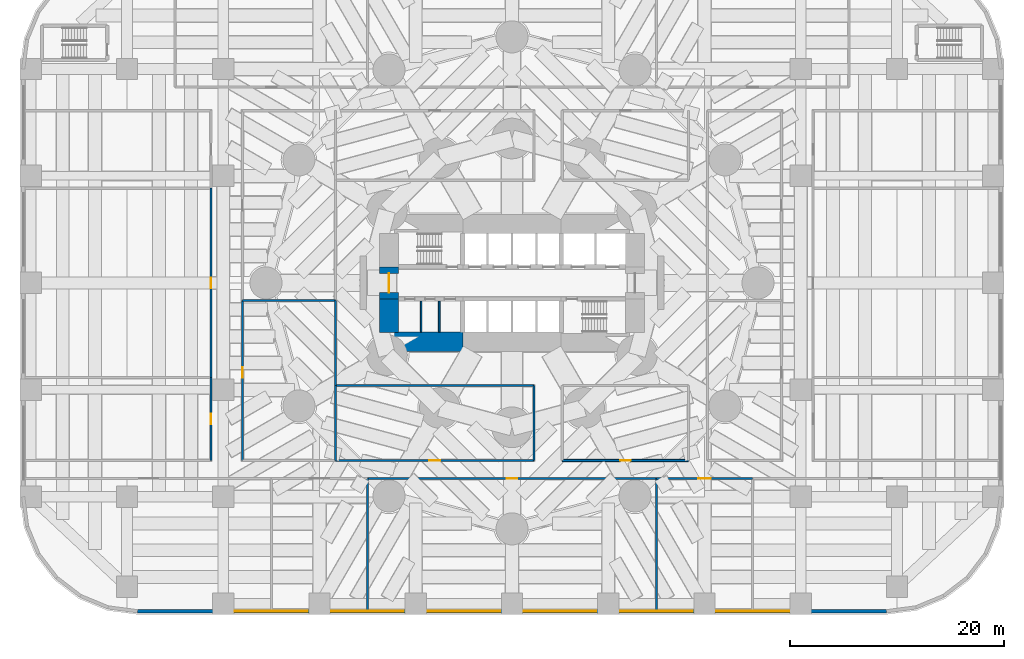
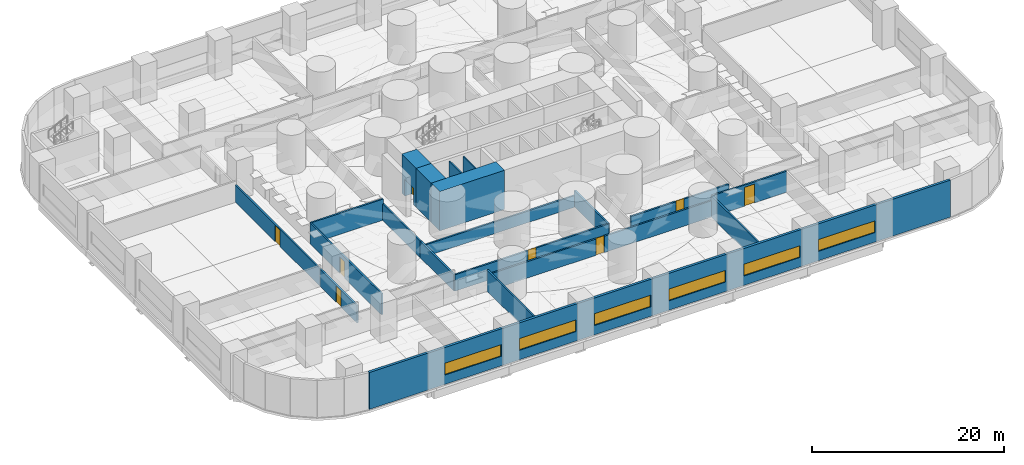
# One storey, part 7 of 17: 20 walls, 8 doors, 6 windows, 14 openings.
"""IFC4 building model written with IfcOpenShell, lengths in metres."""

import ifcopenshell
import ifcopenshell.guid

model = None  # the IFC model being written
_history = None  # IfcOwnerHistory: only IFC2X3 demands one
_inside = {}  # id of a spatial element -> (the spatial element, [elements in it])
_under = {}  # id of a project, library or spatial element -> (it, [spatial elements below it])
_declared = {}  # id of a project -> (the project, [libraries it declares])
_typed = {}  # id of a type object -> (the type object, [elements of that type])
_made_of = {}  # id of a material, layer set ... -> (it, [elements and type objects made of it])


def new_model(schema):
    """Start an empty IFC model of exactly this schema.

    Asked for "IFC4X3", IfcOpenShell would pick the latest addendum, in which some entities
    have other attributes; the version numbers below select the first issue.
    IFC2X3 requires an IfcOwnerHistory on every rooted entity: one is made here for all.
    """
    global model, _history
    if schema == "IFC4X3":
        model = ifcopenshell.file(schema_version=(4, 3, 0, 0))
    else:
        model = ifcopenshell.file(schema=schema)
    _inside.clear()
    _under.clear()
    _declared.clear()
    _typed.clear()
    _made_of.clear()
    _history = None
    if model.schema == "IFC2X3":
        org = make("IfcOrganization", Name="unknown")
        user = make(
            "IfcPersonAndOrganization",
            ThePerson=make("IfcPerson", FamilyName="unknown"),
            TheOrganization=org,
        )
        app = make(
            "IfcApplication",
            ApplicationDeveloper=org,
            Version="unknown",
            ApplicationFullName="unknown",
            ApplicationIdentifier="unknown",
        )
        _history = make(
            "IfcOwnerHistory",
            OwningUser=user,
            OwningApplication=app,
            ChangeAction="ADDED",
            CreationDate=0,
        )
    return model


def make(cls, **values):
    """One entity of the class cls with the attributes given. An attribute that is None is left unset."""
    return model.create_entity(
        cls, **{name: value for name, value in values.items() if value is not None}
    )


def rooted(cls, **values):
    """An entity with a GlobalId (a new one), such as an element, a storey or a relation."""
    return make(cls, GlobalId=ifcopenshell.guid.new(), OwnerHistory=_history, **values)


def si_unit(unit_type, name, prefix=None):
    """IfcSIUnit, for example si_unit("LENGTHUNIT", "METRE", prefix="MILLI")."""
    return make("IfcSIUnit", UnitType=unit_type, Prefix=prefix, Name=name)


def assignment(units):
    """IfcUnitAssignment: the units of a project."""
    return None if units is None else make("IfcUnitAssignment", Units=units)


def point(xyz):
    """IfcCartesianPoint."""
    return None if xyz is None else make("IfcCartesianPoint", Coordinates=xyz)


def direction(xyz):
    """IfcDirection."""
    return None if xyz is None else make("IfcDirection", DirectionRatios=xyz)


def frame(location, z_axis=None, x_axis=None):
    """IfcAxis2Placement3D, a coordinate frame: its origin and axes. An axis left out is left unset."""
    return make(
        "IfcAxis2Placement3D",
        Location=point(location),
        Axis=direction(z_axis),
        RefDirection=direction(x_axis),
    )


def frame_2d(location, x_axis=None):
    """IfcAxis2Placement2D, a coordinate frame in the plane: its origin and x axis."""
    return make(
        "IfcAxis2Placement2D", Location=point(location), RefDirection=direction(x_axis)
    )


def origin():
    """The frame at (0, 0, 0) with its axes left unset."""
    return frame((0.0, 0.0, 0.0))


def place(relative_to, where):
    """IfcLocalPlacement: puts the frame where relative to a parent placement (None: the world)."""
    return make(
        "IfcLocalPlacement", PlacementRelTo=relative_to, RelativePlacement=where
    )


def context(
    kind, dimensions, precision=None, world=None, true_north=None, identifier=None
):
    """IfcGeometricRepresentationContext, for example the 3D "Model" context."""
    return make(
        "IfcGeometricRepresentationContext",
        ContextIdentifier=identifier,
        ContextType=kind,
        CoordinateSpaceDimension=dimensions,
        Precision=precision,
        WorldCoordinateSystem=world,
        TrueNorth=true_north,
    )


def subcontext(parent, identifier, kind, view, scale=None):
    """IfcGeometricRepresentationSubContext, for example "Body" below "Model"."""
    return make(
        "IfcGeometricRepresentationSubContext",
        ContextIdentifier=identifier,
        ContextType=kind,
        ParentContext=parent,
        TargetScale=scale,
        TargetView=view,
    )


def project(units=None, contexts=None):
    """IfcProject with its units and contexts."""
    return rooted(
        "IfcProject",
        Name="project",
        RepresentationContexts=contexts,
        UnitsInContext=assignment(units),
    )


def spatial(cls, under=None, at=None, **own):
    """A site, building, storey or space (cls), placed at a placement, below another one or the project."""
    s = rooted(cls, ObjectPlacement=at, **own)
    if under is not None:
        _under.setdefault(under.id(), (under, []))[1].append(s)
    return s


def profile(cls, at=None, kind="AREA", **sizes):
    """A parametric profile (cls). Its sizes go by their IFC names, for example OverallWidth=200.0."""
    return make(cls, ProfileType=kind, Position=at, **sizes)


def rectangle(**sizes):
    """IfcRectangleProfileDef."""
    return profile("IfcRectangleProfileDef", **sizes)


def extrude(swept, where, along, depth):
    """IfcExtrudedAreaSolid: the profile swept, set in the frame where, extruded along a direction by depth."""
    return make(
        "IfcExtrudedAreaSolid",
        SweptArea=swept,
        Position=where,
        ExtrudedDirection=direction(along),
        Depth=depth,
    )


def shape(context_of_items, identifier, shape_type, items):
    """IfcShapeRepresentation: the items that make up one representation, for example the "Body"."""
    return make(
        "IfcShapeRepresentation",
        ContextOfItems=context_of_items,
        RepresentationIdentifier=identifier,
        RepresentationType=shape_type,
        Items=items,
    )


def material(Name=None, Category=None):
    """IfcMaterial."""
    return make("IfcMaterial", Name=Name, Category=Category)


def layer(
    of_material, thickness, ventilated=None, Name=None, Category=None, Priority=None
):
    """IfcMaterialLayer: one layer of a wall or slab, of a material (None: an air gap)."""
    return make(
        "IfcMaterialLayer",
        Material=of_material,
        LayerThickness=thickness,
        IsVentilated=ventilated,
        Name=Name,
        Category=Category,
        Priority=Priority,
    )


def layer_set(layers, Name=None):
    """IfcMaterialLayerSet."""
    return make("IfcMaterialLayerSet", MaterialLayers=layers, LayerSetName=Name)


def made_of(thing, what):
    """Note that an element or type object is made of a material, layer set ...; save() writes the relation."""
    if what is not None:
        _made_of.setdefault(what.id(), (what, []))[1].append(thing)
    return thing


def type_object(cls, material=None, **own):
    """A type object (cls), such as IfcWallType, which elements share."""
    return made_of(rooted(cls, **own), material)


def element(
    cls,
    number,
    at=None,
    inside=None,
    cuts=None,
    type_object=None,
    material=None,
    context=None,
    identifier="Body",
    shape_type=None,
    held_by="IfcProductDefinitionShape",
    body=None,
    shapes=None,
    **own,
):
    """One element of the class cls, such as IfcWall. Its Tag is "e" and its number.

    at: its placement. inside: the storey or other place that contains it. cuts: it is an
    opening in that element (IfcRelVoidsElement). A single representation is given by context,
    identifier, shape_type and body (its items); several are given by shapes. held_by: the class
    of the entity that holds the representations. save() writes the other relations.
    """
    e = rooted(cls, Tag="e%d" % number, ObjectPlacement=at, **own)
    if body is not None:
        shapes = [shape(context, identifier, shape_type, body)]
    if shapes is not None:
        e.Representation = make(held_by, Representations=shapes)
    if inside is not None:
        _inside.setdefault(inside.id(), (inside, []))[1].append(e)
    if cuts is not None:
        rooted(
            "IfcRelVoidsElement", RelatingBuildingElement=cuts, RelatedOpeningElement=e
        )
    if type_object is not None:
        _typed.setdefault(type_object.id(), (type_object, []))[1].append(e)
    return made_of(e, material)


def fill(opening, filler):
    """IfcRelFillsElement: the door or window that sits in an opening."""
    return rooted(
        "IfcRelFillsElement",
        RelatingOpeningElement=opening,
        RelatedBuildingElement=filler,
    )


def aggregate(whole, parts):
    """IfcRelAggregates: a whole, such as a stair, and the parts it consists of."""
    return rooted("IfcRelAggregates", RelatingObject=whole, RelatedObjects=parts)


def save(model, path):
    """Write the relations noted so far, then the file.

    IfcRelAggregates (storeys below a building ...), IfcRelContainedInSpatialStructure (elements
    in a storey), IfcRelDefinesByType, IfcRelAssociatesMaterial and IfcRelDeclares: one each for
    every whole, place, type object, material and project.
    """
    for whole, parts in _under.values():
        aggregate(whole, parts)
    for where, things in _inside.values():
        rooted(
            "IfcRelContainedInSpatialStructure",
            RelatedElements=things,
            RelatingStructure=where,
        )
    for kind, things in _typed.values():
        rooted("IfcRelDefinesByType", RelatedObjects=things, RelatingType=kind)
    for what, things in _made_of.values():
        rooted("IfcRelAssociatesMaterial", RelatedObjects=things, RelatingMaterial=what)
    for by, libraries in _declared.values():
        rooted("IfcRelDeclares", RelatingContext=by, RelatedDefinitions=libraries)
    model.write(path)


model = new_model("IFC4")

# Units and contexts
model_context = context("Model", 3, precision=1e-05, world=origin(), true_north=direction((0.0, 1.0)))
body_context = subcontext(model_context, "Body", "Model", "MODEL_VIEW")
ifc_project = project(units=[si_unit("LENGTHUNIT", "METRE"), si_unit("AREAUNIT", "SQUARE_METRE"), si_unit("VOLUMEUNIT", "CUBIC_METRE"), si_unit("PLANEANGLEUNIT", "RADIAN"), si_unit("MASSUNIT", "GRAM", prefix="KILO")], contexts=[model_context])

# Site, building, storey
site_placement = place(None, origin())
site = spatial("IfcSite", under=ifc_project, at=site_placement, CompositionType="ELEMENT")
building_placement = place(site_placement, origin())
building = spatial("IfcBuilding", under=site, at=building_placement, Name="Qaws Media Tower", CompositionType="ELEMENT")
storey_placement = place(building_placement, frame((0.0, 0.0, 15.0)))
storey = spatial("IfcBuildingStorey", under=building, at=storey_placement, Name="L02", CompositionType="ELEMENT", Elevation=15.0)

# Walls
ifc_material_1 = material(Name="Concrete C60/75", Category="concrete")
ifc_layer_1 = layer(ifc_material_1, 1.800048828125)
ifc_layer_set_1 = layer_set([ifc_layer_1], Name="Core wall 1800")
wall_type_1 = type_object("IfcWallType", Name="Core wall 1800", PredefinedType="SHEAR", material=ifc_layer_set_1)
wall_1_placement = place(storey_placement, frame((47.60009765625, 44.5, 0.0), z_axis=(0.0, 0.0, 1.0), x_axis=(1.0, 0.0, 0.0)))
element("IfcWall", 1, at=wall_1_placement, inside=storey, type_object=wall_type_1, Name="W398 SW11 core wall SW L02", PredefinedType="SHEAR", context=body_context, shape_type="SweptSolid", body=[
    extrude(rectangle(XDim=7.7998046875, YDim=1.800048828125, at=frame_2d((3.89990234375, 0.0))), origin(), (0.0, 0.0, 1.0), 5.0),
])
wall_2_placement = place(storey_placement, frame((48.5, 45.3798828125, 0.0), z_axis=(0.0, 0.0, 1.0), x_axis=(0.0, 1.0, 0.0)))
element("IfcWall", 2, at=wall_2_placement, inside=storey, type_object=wall_type_1, Name="W400 SW11 core wall WS L02", PredefinedType="SHEAR", context=body_context, shape_type="SweptSolid", body=[
    extrude(rectangle(XDim=3.1201171875, YDim=1.800048828125, at=frame_2d((1.56005859375, 0.0))), origin(), (0.0, 0.0, 1.0), 5.0),
])

# Wall, opening, door
wall_3_placement = place(storey_placement, frame((48.5, 48.5, 0.0), z_axis=(0.0, 0.0, 1.0), x_axis=(0.0, 1.0, 0.0)))
wall_3 = element("IfcWall", 3, at=wall_3_placement, inside=storey, type_object=wall_type_1, Name="W401 SW11 core wall W L02", PredefinedType="SHEAR", context=body_context, shape_type="SweptSolid", body=[
    extrude(rectangle(XDim=3.0, YDim=1.800048828125, at=frame_2d((1.5, 0.0))), origin(), (0.0, 0.0, 1.0), 5.0),
])
opening_1_placement = place(wall_3_placement, frame((0.60009765625, 0.0, 0.0)))
opening_1 = element("IfcOpeningElement", 4, at=opening_1_placement, cuts=wall_3, Name="Opening D2", PredefinedType="OPENING", context=body_context, shape_type="SweptSolid", body=[
    extrude(rectangle(XDim=1.800048828125, YDim=2.10009765625, at=frame_2d((0.89990234375, 1.050048828125))), frame((0.0, 0.909912109375, 0.0), z_axis=(0.0, -1.0, 0.0), x_axis=(1.0, 0.0, 0.0)), (0.0, 0.0, 1.0), 1.820068359375),
])
ifc_material_2 = material(Name="Steel and glass, fire rated", Category="steel")
door_type_1 = type_object("IfcDoorType", Name="Lobby door pair 1800 FD60", OperationType="DOUBLE_DOOR_DOUBLE_SWING", PredefinedType="DOOR", material=ifc_material_2)
door_1_placement = place(opening_1_placement, origin())
door_1 = element("IfcDoor", 5, at=door_1_placement, inside=storey, type_object=door_type_1, Name="D2 core lobby door W L02 in wall W401", OperationType="DOUBLE_DOOR_DOUBLE_SWING", OverallHeight=2.10009765625, OverallWidth=1.800048828125, PredefinedType="DOOR", context=body_context, shape_type="SweptSolid", body=[
    extrude(rectangle(XDim=1.800048828125, YDim=2.10009765625, at=frame_2d((0.89990234375, 1.050048828125))), frame((0.0, 0.02490234375, 0.0), z_axis=(0.0, -1.0, 0.0), x_axis=(1.0, 0.0, 0.0)), (0.0, 0.0, 1.0), 0.050048828125),
])
fill(opening_1, door_1)

# Wall, openings, windows
ifc_material_3 = material(Name="Precast concrete, exposed finish", Category="concrete")
ifc_layer_2 = layer(ifc_material_3, 0.300048828125)
ifc_layer_set_2 = layer_set([ifc_layer_2], Name="Podium facade wall 300")
wall_type_2 = type_object("IfcWallType", Name="Podium facade wall 300", PredefinedType="SOLIDWALL", material=ifc_layer_set_2)
wall_4_placement = place(storey_placement, frame((25.0, 19.300048828125, 0.0), z_axis=(0.0, 0.0, 1.0), x_axis=(1.0, 0.0, 0.0)))
wall_4 = element("IfcWall", 6, at=wall_4_placement, inside=storey, type_object=wall_type_2, Name="W794 EW2 podium wall L02-28", PredefinedType="SOLIDWALL", context=body_context, shape_type="SweptSolid", body=[
    extrude(rectangle(XDim=70.0, YDim=0.300048828125, at=frame_2d((35.0, 0.0))), origin(), (0.0, 0.0, 1.0), 4.699951171875),
])
opening_2_placement = place(wall_4_placement, frame((9.10009765625, 0.0, 1.199951171875)))
opening_2 = element("IfcOpeningElement", 7, at=opening_2_placement, cuts=wall_4, Name="Opening W2", PredefinedType="OPENING", context=body_context, shape_type="SweptSolid", body=[
    extrude(rectangle(XDim=6.800048828125, YDim=1.5, at=frame_2d((3.39990234375, 0.75))), frame((0.0, 0.159912109375, 0.0), z_axis=(0.0, -1.0, 0.0), x_axis=(1.0, 0.0, 0.0)), (0.0, 0.0, 1.0), 0.320068359375),
])
opening_3_placement = place(wall_4_placement, frame((18.10009765625, 0.0, 1.199951171875)))
opening_3 = element("IfcOpeningElement", 8, at=opening_3_placement, cuts=wall_4, Name="Opening W2", PredefinedType="OPENING", context=body_context, shape_type="SweptSolid", body=[
    extrude(rectangle(XDim=6.800048828125, YDim=1.5, at=frame_2d((3.39990234375, 0.75))), frame((0.0, 0.159912109375, 0.0), z_axis=(0.0, -1.0, 0.0), x_axis=(1.0, 0.0, 0.0)), (0.0, 0.0, 1.0), 0.320068359375),
])
opening_4_placement = place(wall_4_placement, frame((27.10009765625, 0.0, 1.199951171875)))
opening_4 = element("IfcOpeningElement", 9, at=opening_4_placement, cuts=wall_4, Name="Opening W2", PredefinedType="OPENING", context=body_context, shape_type="SweptSolid", body=[
    extrude(rectangle(XDim=6.800048828125, YDim=1.5, at=frame_2d((3.39990234375, 0.75))), frame((0.0, 0.159912109375, 0.0), z_axis=(0.0, -1.0, 0.0), x_axis=(1.0, 0.0, 0.0)), (0.0, 0.0, 1.0), 0.320068359375),
])
opening_5_placement = place(wall_4_placement, frame((36.10009765625, 0.0, 1.199951171875)))
opening_5 = element("IfcOpeningElement", 10, at=opening_5_placement, cuts=wall_4, Name="Opening W2", PredefinedType="OPENING", context=body_context, shape_type="SweptSolid", body=[
    extrude(rectangle(XDim=6.800048828125, YDim=1.5, at=frame_2d((3.39990234375, 0.75))), frame((0.0, 0.159912109375, 0.0), z_axis=(0.0, -1.0, 0.0), x_axis=(1.0, 0.0, 0.0)), (0.0, 0.0, 1.0), 0.320068359375),
])
opening_6_placement = place(wall_4_placement, frame((45.10009765625, 0.0, 1.199951171875)))
opening_6 = element("IfcOpeningElement", 11, at=opening_6_placement, cuts=wall_4, Name="Opening W2", PredefinedType="OPENING", context=body_context, shape_type="SweptSolid", body=[
    extrude(rectangle(XDim=6.800048828125, YDim=1.5, at=frame_2d((3.39990234375, 0.75))), frame((0.0, 0.159912109375, 0.0), z_axis=(0.0, -1.0, 0.0), x_axis=(1.0, 0.0, 0.0)), (0.0, 0.0, 1.0), 0.320068359375),
])
opening_7_placement = place(wall_4_placement, frame((54.10009765625, 0.0, 1.199951171875)))
opening_7 = element("IfcOpeningElement", 12, at=opening_7_placement, cuts=wall_4, Name="Opening W2", PredefinedType="OPENING", context=body_context, shape_type="SweptSolid", body=[
    extrude(rectangle(XDim=6.800048828125, YDim=1.5, at=frame_2d((3.39990234375, 0.75))), frame((0.0, 0.159912109375, 0.0), z_axis=(0.0, -1.0, 0.0), x_axis=(1.0, 0.0, 0.0)), (0.0, 0.0, 1.0), 0.320068359375),
])
ifc_material_4 = material(Name="Aluminium and clear glass", Category="aluminium")
window_type = type_object("IfcWindowType", Name="Ribbon window 6800x1500", PartitioningType="TRIPLE_PANEL_HORIZONTAL", PredefinedType="WINDOW", material=ifc_material_4)
window_1_placement = place(opening_2_placement, origin())
window_1 = element("IfcWindow", 13, at=window_1_placement, inside=storey, type_object=window_type, Name="W2 window L02 bay 3", OverallHeight=1.5, OverallWidth=6.800048828125, PartitioningType="SINGLE_PANEL", PredefinedType="WINDOW", context=body_context, shape_type="SweptSolid", body=[
    extrude(rectangle(XDim=6.800048828125, YDim=1.5, at=frame_2d((3.39990234375, 0.75))), frame((0.0, 0.030029296875, 0.0), z_axis=(0.0, -1.0, 0.0), x_axis=(1.0, 0.0, 0.0)), (0.0, 0.0, 1.0), 0.06005859375),
])
fill(opening_2, window_1)
window_2_placement = place(opening_3_placement, origin())
window_2 = element("IfcWindow", 14, at=window_2_placement, inside=storey, type_object=window_type, Name="W2 window L02 bay 4", OverallHeight=1.5, OverallWidth=6.800048828125, PartitioningType="SINGLE_PANEL", PredefinedType="WINDOW", context=body_context, shape_type="SweptSolid", body=[
    extrude(rectangle(XDim=6.800048828125, YDim=1.5, at=frame_2d((3.39990234375, 0.75))), frame((0.0, 0.030029296875, 0.0), z_axis=(0.0, -1.0, 0.0), x_axis=(1.0, 0.0, 0.0)), (0.0, 0.0, 1.0), 0.06005859375),
])
fill(opening_3, window_2)
window_3_placement = place(opening_4_placement, origin())
window_3 = element("IfcWindow", 15, at=window_3_placement, inside=storey, type_object=window_type, Name="W2 window L02 bay 5", OverallHeight=1.5, OverallWidth=6.800048828125, PartitioningType="SINGLE_PANEL", PredefinedType="WINDOW", context=body_context, shape_type="SweptSolid", body=[
    extrude(rectangle(XDim=6.800048828125, YDim=1.5, at=frame_2d((3.39990234375, 0.75))), frame((0.0, 0.030029296875, 0.0), z_axis=(0.0, -1.0, 0.0), x_axis=(1.0, 0.0, 0.0)), (0.0, 0.0, 1.0), 0.06005859375),
])
fill(opening_4, window_3)
window_4_placement = place(opening_5_placement, origin())
window_4 = element("IfcWindow", 16, at=window_4_placement, inside=storey, type_object=window_type, Name="W2 window L02 bay 6", OverallHeight=1.5, OverallWidth=6.800048828125, PartitioningType="SINGLE_PANEL", PredefinedType="WINDOW", context=body_context, shape_type="SweptSolid", body=[
    extrude(rectangle(XDim=6.800048828125, YDim=1.5, at=frame_2d((3.39990234375, 0.75))), frame((0.0, 0.030029296875, 0.0), z_axis=(0.0, -1.0, 0.0), x_axis=(1.0, 0.0, 0.0)), (0.0, 0.0, 1.0), 0.06005859375),
])
fill(opening_5, window_4)
window_5_placement = place(opening_6_placement, origin())
window_5 = element("IfcWindow", 17, at=window_5_placement, inside=storey, type_object=window_type, Name="W2 window L02 bay 7", OverallHeight=1.5, OverallWidth=6.800048828125, PartitioningType="SINGLE_PANEL", PredefinedType="WINDOW", context=body_context, shape_type="SweptSolid", body=[
    extrude(rectangle(XDim=6.800048828125, YDim=1.5, at=frame_2d((3.39990234375, 0.75))), frame((0.0, 0.030029296875, 0.0), z_axis=(0.0, -1.0, 0.0), x_axis=(1.0, 0.0, 0.0)), (0.0, 0.0, 1.0), 0.06005859375),
])
fill(opening_6, window_5)
window_6_placement = place(opening_7_placement, origin())
window_6 = element("IfcWindow", 18, at=window_6_placement, inside=storey, type_object=window_type, Name="W2 window L02 bay 8", OverallHeight=1.5, OverallWidth=6.800048828125, PartitioningType="SINGLE_PANEL", PredefinedType="WINDOW", context=body_context, shape_type="SweptSolid", body=[
    extrude(rectangle(XDim=6.800048828125, YDim=1.5, at=frame_2d((3.39990234375, 0.75))), frame((0.0, 0.030029296875, 0.0), z_axis=(0.0, -1.0, 0.0), x_axis=(1.0, 0.0, 0.0)), (0.0, 0.0, 1.0), 0.06005859375),
])
fill(opening_7, window_6)

# Wall, opening, door
ifc_material_5 = material(Name="Gypsum board on galvanised metal studs, acoustic double stud, deflection head", Category="gypsum")
ifc_layer_3 = layer(ifc_material_5, 0.199951171875)
ifc_layer_set_3 = layer_set([ifc_layer_3], Name="Room partition 200")
wall_type_3 = type_object("IfcWallType", Name="Room partition 200", PredefinedType="PARTITIONING", material=ifc_layer_set_3)
wall_5_placement = place(storey_placement, frame((31.85009765625, 33.39990234375, 0.0), z_axis=(0.0, 0.0, 1.0), x_axis=(0.0, 1.0, 0.0)))
wall_5 = element("IfcWall", 19, at=wall_5_placement, inside=storey, type_object=wall_type_3, Name="W926 IW3 partition L02", PredefinedType="PARTITIONING", context=body_context, shape_type="SweptSolid", body=[
    extrude(rectangle(XDim=7.75, YDim=0.199951171875, at=frame_2d((3.875, 0.0))), origin(), (0.0, 0.0, 1.0), 2.179931640625),
])
opening_8_placement = place(wall_5_placement, frame((3.375, 0.0, 0.0)))
opening_8 = element("IfcOpeningElement", 20, at=opening_8_placement, cuts=wall_5, Name="Opening D5", PredefinedType="OPENING", context=body_context, shape_type="SweptSolid", body=[
    extrude(rectangle(XDim=1.0, YDim=2.10009765625, at=frame_2d((0.5, 1.050048828125))), frame((0.0, 0.10986328125, 0.0), z_axis=(0.0, -1.0, 0.0), x_axis=(1.0, 0.0, 0.0)), (0.0, 0.0, 1.0), 0.219970703125),
])
ifc_material_6 = material(Name="Timber veneered, acoustic seal", Category="wood")
door_type_2 = type_object("IfcDoorType", Name="Room door 1000", OperationType="SINGLE_SWING_LEFT", PredefinedType="DOOR", material=ifc_material_6)
door_2_placement = place(opening_8_placement, origin())
door_2 = element("IfcDoor", 21, at=door_2_placement, inside=storey, type_object=door_type_2, Name="D5 Ingest room door in wall W926", OperationType="SINGLE_SWING_LEFT", OverallHeight=2.10009765625, OverallWidth=1.0, PredefinedType="DOOR", context=body_context, shape_type="SweptSolid", body=[
    extrude(rectangle(XDim=1.0, YDim=2.10009765625, at=frame_2d((0.5, 1.050048828125))), frame((0.0, 0.02490234375, 0.0), z_axis=(0.0, -1.0, 0.0), x_axis=(1.0, 0.0, 0.0)), (0.0, 0.0, 1.0), 0.050048828125),
])
fill(opening_8, door_2)

wall_6_placement = place(storey_placement, frame((31.85009765625, 41.14990234375, 0.0), z_axis=(0.0, 0.0, 1.0), x_axis=(0.0, 1.0, 0.0)))
wall_6 = element("IfcWall", 22, at=wall_6_placement, inside=storey, type_object=wall_type_3, Name="W927 IW3 partition L02", PredefinedType="PARTITIONING", context=body_context, shape_type="SweptSolid", body=[
    extrude(rectangle(XDim=17.7001953125, YDim=0.199951171875, at=frame_2d((8.85009765625, 0.0))), origin(), (0.0, 0.0, 1.0), 2.179931640625),
])
opening_9_placement = place(wall_6_placement, frame((8.35009765625, 0.0, 0.0)))
opening_9 = element("IfcOpeningElement", 23, at=opening_9_placement, cuts=wall_6, Name="Opening D5", PredefinedType="OPENING", context=body_context, shape_type="SweptSolid", body=[
    extrude(rectangle(XDim=1.0, YDim=2.10009765625, at=frame_2d((0.5, 1.050048828125))), frame((0.0, 0.10986328125, 0.0), z_axis=(0.0, -1.0, 0.0), x_axis=(1.0, 0.0, 0.0)), (0.0, 0.0, 1.0), 0.219970703125),
])
door_3_placement = place(opening_9_placement, origin())
door_3 = element("IfcDoor", 24, at=door_3_placement, inside=storey, type_object=door_type_2, Name="D5 Production control room A door in wall W927", OperationType="SINGLE_SWING_LEFT", OverallHeight=2.10009765625, OverallWidth=1.0, PredefinedType="DOOR", context=body_context, shape_type="SweptSolid", body=[
    extrude(rectangle(XDim=1.0, YDim=2.10009765625, at=frame_2d((0.5, 1.050048828125))), frame((0.0, 0.02490234375, 0.0), z_axis=(0.0, -1.0, 0.0), x_axis=(1.0, 0.0, 0.0)), (0.0, 0.0, 1.0), 0.050048828125),
])
fill(opening_9, door_3)

wall_7_placement = place(storey_placement, frame((34.800048828125, 33.39990234375, 0.0), z_axis=(0.0, 0.0, 1.0), x_axis=(0.0, 1.0, 0.0)))
wall_7 = element("IfcWall", 25, at=wall_7_placement, inside=storey, type_object=wall_type_3, Name="W896 IW3 partition L02", PredefinedType="PARTITIONING", context=body_context, shape_type="SweptSolid", body=[
    extrude(rectangle(XDim=14.9501953125, YDim=0.199951171875, at=frame_2d((7.47509765625, 0.0))), origin(), (0.0, 0.0, 1.0), 2.679931640625),
])
opening_10_placement = place(wall_7_placement, frame((7.72509765625, 0.0, 0.0)))
opening_10 = element("IfcOpeningElement", 26, at=opening_10_placement, cuts=wall_7, Name="Opening D5", PredefinedType="OPENING", context=body_context, shape_type="SweptSolid", body=[
    extrude(rectangle(XDim=1.0, YDim=2.10009765625, at=frame_2d((0.5, 1.050048828125))), frame((0.0, 0.10986328125, 0.0), z_axis=(0.0, -1.0, 0.0), x_axis=(1.0, 0.0, 0.0)), (0.0, 0.0, 1.0), 0.219970703125),
])
door_4_placement = place(opening_10_placement, origin())
door_4 = element("IfcDoor", 27, at=door_4_placement, inside=storey, type_object=door_type_2, Name="D5 Audio post-production room door in wall W896", OperationType="SINGLE_SWING_LEFT", OverallHeight=2.10009765625, OverallWidth=1.0, PredefinedType="DOOR", context=body_context, shape_type="SweptSolid", body=[
    extrude(rectangle(XDim=1.0, YDim=2.10009765625, at=frame_2d((0.5, 1.050048828125))), frame((0.0, 0.02490234375, 0.0), z_axis=(0.0, -1.0, 0.0), x_axis=(1.0, 0.0, 0.0)), (0.0, 0.0, 1.0), 0.050048828125),
])
fill(opening_10, door_4)

# Walls
wall_8_placement = place(storey_placement, frame((43.5, 33.39990234375, 0.0), z_axis=(0.0, 0.0, 1.0), x_axis=(0.0, 1.0, 0.0)))
element("IfcWall", 28, at=wall_8_placement, inside=storey, type_object=wall_type_3, Name="W817 IW3 partition L02", PredefinedType="PARTITIONING", context=body_context, shape_type="SweptSolid", body=[
    extrude(rectangle(XDim=7.0, YDim=0.199951171875, at=frame_2d((3.5, 0.0))), origin(), (0.0, 0.0, 1.0), 2.080078125),
])
wall_9_placement = place(storey_placement, frame((43.5, 40.39990234375, 0.0), z_axis=(0.0, 0.0, 1.0), x_axis=(0.0, 1.0, 0.0)))
element("IfcWall", 29, at=wall_9_placement, inside=storey, type_object=wall_type_3, Name="W902 IW3 partition L02", PredefinedType="PARTITIONING", context=body_context, shape_type="SweptSolid", body=[
    extrude(rectangle(XDim=7.9501953125, YDim=0.199951171875, at=frame_2d((3.97509765625, 0.0))), origin(), (0.0, 0.0, 1.0), 2.080078125),
])
wall_10_placement = place(storey_placement, frame((46.5, 19.455078125, 0.0), z_axis=(0.0, 0.0, 1.0), x_axis=(0.0, 1.0, 0.0)))
element("IfcWall", 30, at=wall_10_placement, inside=storey, type_object=wall_type_3, Name="W903 IW3 partition L02", PredefinedType="PARTITIONING", context=body_context, shape_type="SweptSolid", body=[
    extrude(rectangle(XDim=12.244873046875, YDim=0.199951171875, at=frame_2d((6.12255859375, 0.0))), origin(), (0.0, 0.0, 1.0), 2.679931640625),
])
wall_11_placement = place(storey_placement, frame((62.050048828125, 33.39990234375, 0.0), z_axis=(0.0, 0.0, 1.0), x_axis=(0.0, 1.0, 0.0)))
element("IfcWall", 31, at=wall_11_placement, inside=storey, type_object=wall_type_3, Name="W824 IW3 partition L02", PredefinedType="PARTITIONING", context=body_context, shape_type="SweptSolid", body=[
    extrude(rectangle(XDim=7.0, YDim=0.199951171875, at=frame_2d((3.5, 0.0))), origin(), (0.0, 0.0, 1.0), 2.080078125),
])
wall_12_placement = place(storey_placement, frame((73.5, 19.455078125, 0.0), z_axis=(0.0, 0.0, 1.0), x_axis=(0.0, 1.0, 0.0)))
element("IfcWall", 32, at=wall_12_placement, inside=storey, type_object=wall_type_3, Name="W906 IW3 partition L02", PredefinedType="PARTITIONING", context=body_context, shape_type="SweptSolid", body=[
    extrude(rectangle(XDim=12.244873046875, YDim=0.199951171875, at=frame_2d((6.12255859375, 0.0))), origin(), (0.0, 0.0, 1.0), 2.679931640625),
])

# Wall, opening, door
wall_13_placement = place(storey_placement, frame((46.5, 31.699951171875, 0.0), z_axis=(0.0, 0.0, 1.0), x_axis=(1.0, 0.0, 0.0)))
wall_13 = element("IfcWall", 33, at=wall_13_placement, inside=storey, type_object=wall_type_3, Name="W904 IW3 partition L02", PredefinedType="PARTITIONING", context=body_context, shape_type="SweptSolid", body=[
    extrude(rectangle(XDim=27.0, YDim=0.199951171875, at=frame_2d((13.5, 0.0))), origin(), (0.0, 0.0, 1.0), 2.080078125),
])
opening_11_placement = place(wall_13_placement, frame((13.0, 0.0, 0.0)))
opening_11 = element("IfcOpeningElement", 34, at=opening_11_placement, cuts=wall_13, Name="Opening D5", PredefinedType="OPENING", context=body_context, shape_type="SweptSolid", body=[
    extrude(rectangle(XDim=1.0, YDim=2.10009765625, at=frame_2d((0.5, 1.050048828125))), frame((0.0, 0.10986328125, 0.0), z_axis=(0.0, -1.0, 0.0), x_axis=(1.0, 0.0, 0.0)), (0.0, 0.0, 1.0), 0.219970703125),
])
door_5_placement = place(opening_11_placement, origin())
door_5 = element("IfcDoor", 35, at=door_5_placement, inside=storey, type_object=door_type_2, Name="D5 Production management office door in wall W904", OperationType="SINGLE_SWING_LEFT", OverallHeight=2.10009765625, OverallWidth=1.0, PredefinedType="DOOR", context=body_context, shape_type="SweptSolid", body=[
    extrude(rectangle(XDim=1.0, YDim=2.10009765625, at=frame_2d((0.5, 1.050048828125))), frame((0.0, 0.02490234375, 0.0), z_axis=(0.0, -1.0, 0.0), x_axis=(1.0, 0.0, 0.0)), (0.0, 0.0, 1.0), 0.050048828125),
])
fill(opening_11, door_5)

wall_14_placement = place(storey_placement, frame((73.5, 31.699951171875, 0.0), z_axis=(0.0, 0.0, 1.0), x_axis=(1.0, 0.0, 0.0)))
wall_14 = element("IfcWall", 36, at=wall_14_placement, inside=storey, type_object=wall_type_3, Name="W872 IW3 partition L02", PredefinedType="PARTITIONING", context=body_context, shape_type="SweptSolid", body=[
    extrude(rectangle(XDim=9.0, YDim=0.199951171875, at=frame_2d((4.5, 0.0))), origin(), (0.0, 0.0, 1.0), 2.679931640625),
])
opening_12_placement = place(wall_14_placement, frame((3.89990234375, 0.0, 0.0)))
opening_12 = element("IfcOpeningElement", 37, at=opening_12_placement, cuts=wall_14, Name="Opening D14", PredefinedType="OPENING", context=body_context, shape_type="SweptSolid", body=[
    extrude(rectangle(XDim=1.199951171875, YDim=2.39990234375, at=frame_2d((0.60009765625, 1.199951171875))), frame((0.0, 0.10986328125, 0.0), z_axis=(0.0, -1.0, 0.0), x_axis=(1.0, 0.0, 0.0)), (0.0, 0.0, 1.0), 0.219970703125),
])
ifc_material_7 = material(Name="Steel acoustic door set, Rw 45", Category="steel")
door_type_3 = type_object("IfcDoorType", Name="Acoustic door 1200x2400 Rw 45", OperationType="SINGLE_SWING_LEFT", PredefinedType="DOOR", material=ifc_material_7)
door_6_placement = place(opening_12_placement, origin())
door_6 = element("IfcDoor", 38, at=door_6_placement, inside=storey, type_object=door_type_3, Name="D14 Edit suite 1 door in wall W872", OperationType="SINGLE_SWING_LEFT", OverallHeight=2.39990234375, OverallWidth=1.199951171875, PredefinedType="DOOR", context=body_context, shape_type="SweptSolid", body=[
    extrude(rectangle(XDim=1.199951171875, YDim=2.39990234375, at=frame_2d((0.60009765625, 1.199951171875))), frame((0.0, 0.02490234375, 0.0), z_axis=(0.0, -1.0, 0.0), x_axis=(1.0, 0.0, 0.0)), (0.0, 0.0, 1.0), 0.050048828125),
])
fill(opening_12, door_6)

wall_15_placement = place(storey_placement, frame((43.5, 33.39990234375, 0.0), z_axis=(0.0, 0.0, 1.0), x_axis=(1.0, 0.0, 0.0)))
wall_15 = element("IfcWall", 39, at=wall_15_placement, inside=storey, type_object=wall_type_3, Name="W818 IW3 partition L02", PredefinedType="PARTITIONING", context=body_context, shape_type="SweptSolid", body=[
    extrude(rectangle(XDim=18.550048828125, YDim=0.199951171875, at=frame_2d((9.27490234375, 0.0))), origin(), (0.0, 0.0, 1.0), 2.080078125),
])
opening_13_placement = place(wall_15_placement, frame((8.77490234375, 0.0, 0.0)))
opening_13 = element("IfcOpeningElement", 40, at=opening_13_placement, cuts=wall_15, Name="Opening D5", PredefinedType="OPENING", context=body_context, shape_type="SweptSolid", body=[
    extrude(rectangle(XDim=1.0, YDim=2.10009765625, at=frame_2d((0.5, 1.050048828125))), frame((0.0, 0.10986328125, 0.0), z_axis=(0.0, -1.0, 0.0), x_axis=(1.0, 0.0, 0.0)), (0.0, 0.0, 1.0), 0.219970703125),
])
door_7_placement = place(opening_13_placement, origin())
door_7 = element("IfcDoor", 41, at=door_7_placement, inside=storey, type_object=door_type_2, Name="D5 News production office door in wall W818", OperationType="SINGLE_SWING_LEFT", OverallHeight=2.10009765625, OverallWidth=1.0, PredefinedType="DOOR", context=body_context, shape_type="SweptSolid", body=[
    extrude(rectangle(XDim=1.0, YDim=2.10009765625, at=frame_2d((0.5, 1.050048828125))), frame((0.0, 0.02490234375, 0.0), z_axis=(0.0, -1.0, 0.0), x_axis=(1.0, 0.0, 0.0)), (0.0, 0.0, 1.0), 0.050048828125),
])
fill(opening_13, door_7)

wall_16_placement = place(storey_placement, frame((64.699951171875, 33.39990234375, 0.0), z_axis=(0.0, 0.0, 1.0), x_axis=(1.0, 0.0, 0.0)))
wall_16 = element("IfcWall", 42, at=wall_16_placement, inside=storey, type_object=wall_type_3, Name="W827 IW3 partition L02", PredefinedType="PARTITIONING", context=body_context, shape_type="SweptSolid", body=[
    extrude(rectangle(XDim=11.800048828125, YDim=0.199951171875, at=frame_2d((5.89990234375, 0.0))), origin(), (0.0, 0.0, 1.0), 2.080078125),
])
opening_14_placement = place(wall_16_placement, frame((5.39990234375, 0.0, 0.0)))
opening_14 = element("IfcOpeningElement", 43, at=opening_14_placement, cuts=wall_16, Name="Opening D5", PredefinedType="OPENING", context=body_context, shape_type="SweptSolid", body=[
    extrude(rectangle(XDim=1.0, YDim=2.10009765625, at=frame_2d((0.5, 1.050048828125))), frame((0.0, 0.10986328125, 0.0), z_axis=(0.0, -1.0, 0.0), x_axis=(1.0, 0.0, 0.0)), (0.0, 0.0, 1.0), 0.219970703125),
])
door_8_placement = place(opening_14_placement, origin())
door_8 = element("IfcDoor", 44, at=door_8_placement, inside=storey, type_object=door_type_2, Name="D5 Scheduling office door in wall W827", OperationType="SINGLE_SWING_LEFT", OverallHeight=2.10009765625, OverallWidth=1.0, PredefinedType="DOOR", context=body_context, shape_type="SweptSolid", body=[
    extrude(rectangle(XDim=1.0, YDim=2.10009765625, at=frame_2d((0.5, 1.050048828125))), frame((0.0, 0.02490234375, 0.0), z_axis=(0.0, -1.0, 0.0), x_axis=(1.0, 0.0, 0.0)), (0.0, 0.0, 1.0), 0.050048828125),
])
fill(opening_14, door_8)

# Walls
wall_17_placement = place(storey_placement, frame((43.5, 40.39990234375, 0.0), z_axis=(0.0, 0.0, 1.0), x_axis=(1.0, 0.0, 0.0)))
element("IfcWall", 45, at=wall_17_placement, inside=storey, type_object=wall_type_3, Name="W820 IW3 partition L02", PredefinedType="PARTITIONING", context=body_context, shape_type="SweptSolid", body=[
    extrude(rectangle(XDim=18.550048828125, YDim=0.199951171875, at=frame_2d((9.27490234375, 0.0))), origin(), (0.0, 0.0, 1.0), 1.47998046875),
])
wall_18_placement = place(storey_placement, frame((34.800048828125, 48.35009765625, 0.0), z_axis=(0.0, 0.0, 1.0), x_axis=(1.0, 0.0, 0.0)))
element("IfcWall", 46, at=wall_18_placement, inside=storey, type_object=wall_type_3, Name="W899 IW3 partition L02", PredefinedType="PARTITIONING", context=body_context, shape_type="SweptSolid", body=[
    extrude(rectangle(XDim=8.699951171875, YDim=0.199951171875, at=frame_2d((4.35009765625, 0.0))), origin(), (0.0, 0.0, 1.0), 2.679931640625),
])
ifc_material_8 = material(Name="Gypsum board on galvanised metal studs, deflection head", Category="gypsum")
ifc_layer_4 = layer(ifc_material_8, 0.14990234375)
ifc_layer_set_4 = layer_set([ifc_layer_4], Name="WC partition 150")
wall_type_4 = type_object("IfcWallType", Name="WC partition 150", PredefinedType="PARTITIONING", material=ifc_layer_set_4)
for number, where, z_axis, x_axis, name in (
    (47, (51.5, 45.39990234375, 0.0), (0.0, 0.0, 1.0), (0.0, 1.0, 0.0), "W1898 IW2 toilet partition 1 L02"),
    (48, (53.199951171875, 45.39990234375, 0.0), (0.0, 0.0, 1.0), (0.0, 1.0, 0.0), "W1899 IW2 toilet partition 2 L02"),
):
    element("IfcWall", number, at=place(storey_placement, frame(where, z_axis=z_axis, x_axis=x_axis)), inside=storey, type_object=wall_type_4, Name=name, PredefinedType="PARTITIONING", context=body_context, shape_type="SweptSolid", body=[
        extrude(rectangle(XDim=2.900146484375, YDim=0.14990234375, at=frame_2d((1.4501953125, 0.0))), origin(), (0.0, 0.0, 1.0), 4.699951171875),
    ])

save(model, "model.ifc")
